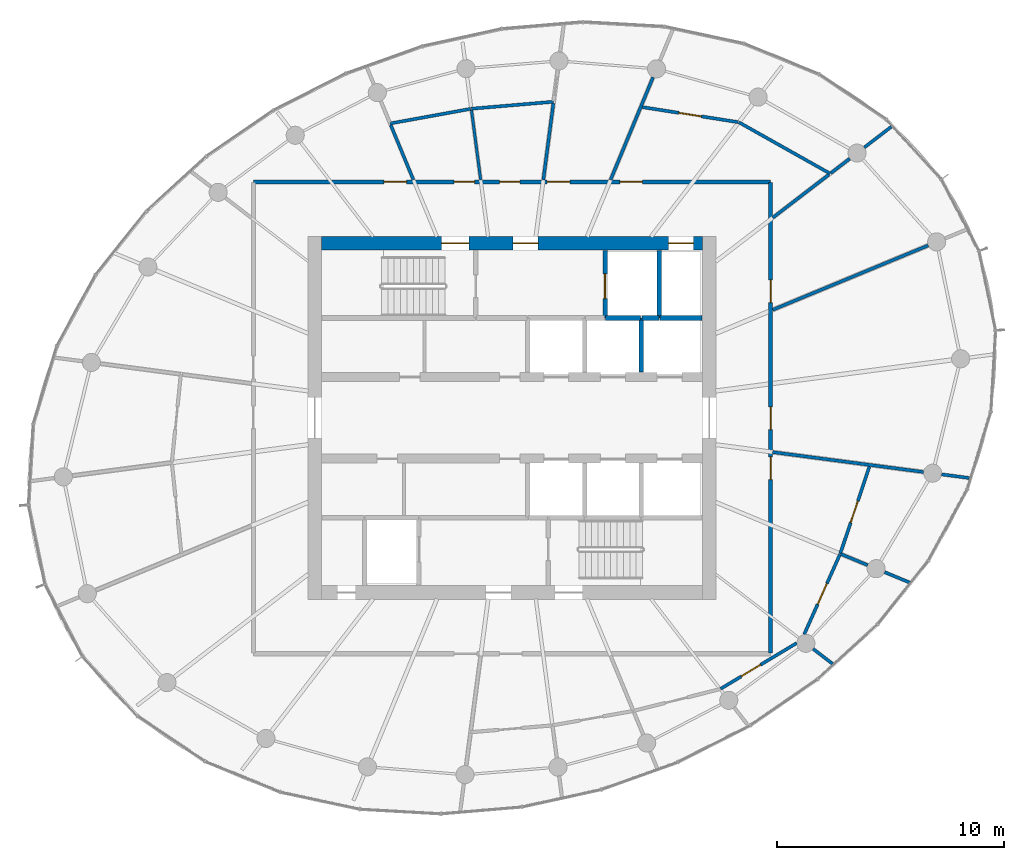
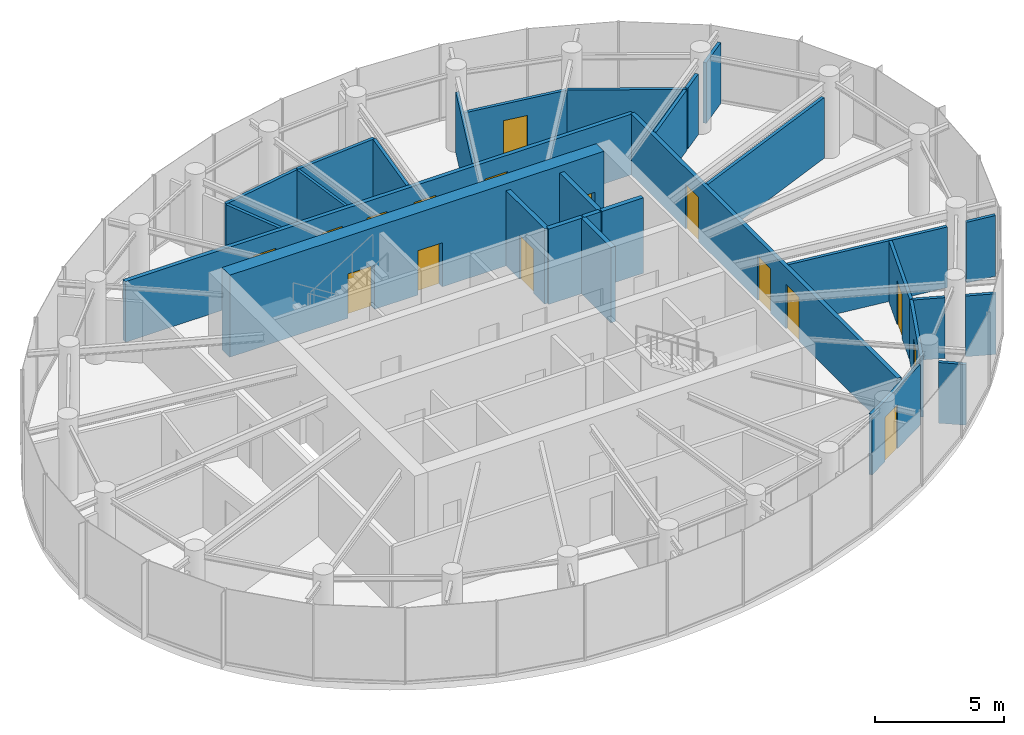
# One storey, part 10 of 13: 29 walls, 16 doors, 16 openings.
"""IFC4 building model written with IfcOpenShell, lengths in metres."""

from ifc_helpers import new_model, si_unit, direction, frame, frame_2d, origin, place, context, subcontext, project, spatial, rectangle, extrude, source, transform, mapped, material, layer, layer_set, type_object, element, fill, save


model = new_model("IFC4")

# Units and contexts
model_context = context("Model", 3, precision=1e-05, world=origin(), true_north=direction((0.0, 1.0)))
body_context = subcontext(model_context, "Body", "Model", "MODEL_VIEW")
ifc_project = project(units=[si_unit("LENGTHUNIT", "METRE"), si_unit("AREAUNIT", "SQUARE_METRE"), si_unit("VOLUMEUNIT", "CUBIC_METRE"), si_unit("PLANEANGLEUNIT", "RADIAN"), si_unit("MASSUNIT", "GRAM", prefix="KILO")], contexts=[model_context])

# Site, building, storey
site_placement = place(None, origin())
site = spatial("IfcSite", under=ifc_project, at=site_placement, CompositionType="ELEMENT")
building_placement = place(site_placement, origin())
building = spatial("IfcBuilding", under=site, at=building_placement, Name="Spindrift Exchange Tower", CompositionType="ELEMENT")
storey_placement = place(building_placement, frame((0.0, 0.0, 246.199951171875)))
storey = spatial("IfcBuildingStorey", under=building, at=storey_placement, Name="L60", CompositionType="ELEMENT", Elevation=246.199951171875)

# Wall, openings, doors
ifc_material_1 = material(Name="Concrete 50 MPa", Category="concrete")
ifc_layer_1 = layer(ifc_material_1, 0.60009765625)
ifc_layer_set_1 = layer_set([ifc_layer_1], Name="RC Core Wall 600 Concrete 50 MPa")
wall_type_1 = type_object("IfcWallType", Name="RC Core Wall 600 Concrete 50 MPa", PredefinedType="SHEAR", material=ifc_layer_set_1)
wall_1_placement = place(storey_placement, frame((60.39990234375, 55.699951171875, 0.0), z_axis=(0.0, 0.0, 1.0), x_axis=(-1.0, 0.0, 0.0)))
wall_1 = element("IfcWall", 1, at=wall_1_placement, inside=storey, type_object=wall_type_1, Name="Core wall N L60", PredefinedType="SHEAR", context=body_context, shape_type="SweptSolid", body=[
    extrude(rectangle(XDim=16.7998046875, YDim=0.60009765625, at=frame_2d((8.39990234375, 0.0))), origin(), (0.0, 0.0, 1.0), 3.900146484375),
])
opening_1_placement = place(wall_1_placement, frame((0.39990234375, 0.0, 0.0)))
opening_1 = element("IfcOpeningElement", 2, at=opening_1_placement, cuts=wall_1, Name="Opening L60-D11", PredefinedType="OPENING", context=body_context, shape_type="SweptSolid", body=[
    extrude(rectangle(XDim=1.10009765625, YDim=2.10009765625, at=frame_2d((0.550048828125, 1.050048828125))), frame((0.0, 0.31005859375, 0.0), z_axis=(0.0, -1.0, 0.0), x_axis=(1.0, 0.0, 0.0)), (0.0, 0.0, 1.0), 0.6201171875),
])
opening_2_placement = place(wall_1_placement, frame((10.300048828125, 0.0, 0.0)))
opening_2 = element("IfcOpeningElement", 3, at=opening_2_placement, cuts=wall_1, Name="Opening L60-D12", PredefinedType="OPENING", context=body_context, shape_type="SweptSolid", body=[
    extrude(rectangle(XDim=1.199951171875, YDim=2.10009765625, at=frame_2d((0.60009765625, 1.050048828125))), frame((0.0, 0.31005859375, 0.0), z_axis=(0.0, -1.0, 0.0), x_axis=(1.0, 0.0, 0.0)), (0.0, 0.0, 1.0), 0.6201171875),
])
opening_3_placement = place(wall_1_placement, frame((7.25, 0.0, 0.0)))
opening_3 = element("IfcOpeningElement", 4, at=opening_3_placement, cuts=wall_1, Name="Opening L60-D14", PredefinedType="OPENING", context=body_context, shape_type="SweptSolid", body=[
    extrude(rectangle(XDim=1.10009765625, YDim=2.10009765625, at=frame_2d((0.550048828125, 1.050048828125))), frame((0.0, 0.31005859375, 0.0), z_axis=(0.0, -1.0, 0.0), x_axis=(1.0, 0.0, 0.0)), (0.0, 0.0, 1.0), 0.6201171875),
])
ifc_material_2 = material(Name="Stainless steel landing door", Category="steel")
door_type_1 = type_object("IfcDoorType", Name="DR-LANDING-1100-SL", OperationType="DOUBLE_DOOR_SLIDING", PredefinedType="USERDEFINED", material=ifc_material_2)
shared_shape_1 = source(origin(), body_context, "Body", "SweptSolid", [
    extrude(rectangle(XDim=1.10009765625, YDim=2.10009765625, at=frame_2d((0.550048828125, 1.050048828125))), frame((0.0, 0.02490234375, 0.0), z_axis=(0.0, -1.0, 0.0), x_axis=(1.0, 0.0, 0.0)), (0.0, 0.0, 1.0), 0.050048828125),
])
door_1_placement = place(opening_1_placement, origin())
door_1 = element("IfcDoor", 5, at=door_1_placement, inside=storey, type_object=door_type_1, Name="L60 Lift landing door 11", ObjectType="LANDING DOOR", OperationType="DOUBLE_DOOR_SLIDING", OverallHeight=2.10009765625, OverallWidth=1.10009765625, PredefinedType="USERDEFINED", context=body_context, shape_type="MappedRepresentation", body=[
    mapped(shared_shape_1, transform((0.0, 0.0, 0.0), scale=1.0)),
])
fill(opening_1, door_1)
ifc_material_3 = material(Name="Steel fire door", Category="steel")
door_type_2 = type_object("IfcDoorType", Name="DR-STAIR-1200", OperationType="NOTDEFINED", PredefinedType="DOOR", material=ifc_material_3)
shared_shape_2 = source(origin(), body_context, "Body", "SweptSolid", [
    extrude(rectangle(XDim=1.199951171875, YDim=2.10009765625, at=frame_2d((0.60009765625, 1.050048828125))), frame((0.0, 0.02490234375, 0.0), z_axis=(0.0, -1.0, 0.0), x_axis=(1.0, 0.0, 0.0)), (0.0, 0.0, 1.0), 0.050048828125),
])
door_2_placement = place(opening_2_placement, origin())
door_2 = element("IfcDoor", 6, at=door_2_placement, inside=storey, type_object=door_type_2, Name="L60 Stair door 12", OperationType="SINGLE_SWING_LEFT", OverallHeight=2.10009765625, OverallWidth=1.199951171875, PredefinedType="DOOR", context=body_context, shape_type="MappedRepresentation", body=[
    mapped(shared_shape_2, transform((0.0, 0.0, 0.0), scale=1.0)),
])
fill(opening_2, door_2)
ifc_material_4 = material(Name="Timber-core fire door", Category="wood")
door_type_3 = type_object("IfcDoorType", Name="DR-LOBBY-1100", OperationType="NOTDEFINED", PredefinedType="DOOR", material=ifc_material_4)
shared_shape_3 = source(origin(), body_context, "Body", "SweptSolid", [
    extrude(rectangle(XDim=1.10009765625, YDim=2.10009765625, at=frame_2d((0.550048828125, 1.050048828125))), frame((0.0, 0.02490234375, 0.0), z_axis=(0.0, -1.0, 0.0), x_axis=(1.0, 0.0, 0.0)), (0.0, 0.0, 1.0), 0.050048828125),
])
door_3_placement = place(opening_3_placement, origin())
door_3 = element("IfcDoor", 7, at=door_3_placement, inside=storey, type_object=door_type_3, Name="L60 Lobby door 14", OperationType="SINGLE_SWING_LEFT", OverallHeight=2.10009765625, OverallWidth=1.10009765625, PredefinedType="DOOR", context=body_context, shape_type="MappedRepresentation", body=[
    mapped(shared_shape_3, transform((0.0, 0.0, 0.0), scale=1.0)),
])
fill(opening_3, door_3)

ifc_material_5 = material(Name="Fire-rated plasterboard partition", Category="gypsum")
ifc_layer_2 = layer(ifc_material_5, 0.179931640625)
ifc_layer_set_2 = layer_set([ifc_layer_2], Name="W-CORR-180")
wall_type_2 = type_object("IfcWallType", Name="W-CORR-180", PredefinedType="PARTITIONING", material=ifc_layer_set_2)
wall_2_placement = place(storey_placement, frame((40.60009765625, 58.39990234375, 0.0), z_axis=(0.0, 0.0, 1.0), x_axis=(1.0, 0.0, 0.0)))
wall_2 = element("IfcWall", 8, at=wall_2_placement, inside=storey, type_object=wall_type_2, Name="L60 Partition wall 27", PredefinedType="PARTITIONING", context=body_context, shape_type="SweptSolid", body=[
    extrude(rectangle(XDim=22.7998046875, YDim=0.179931640625, at=frame_2d((11.39990234375, 0.0))), origin(), (0.0, 0.0, 1.0), 2.880126953125),
])
opening_4_placement = place(wall_2_placement, frame((10.85009765625, 0.0, 0.0)))
opening_4 = element("IfcOpeningElement", 9, at=opening_4_placement, cuts=wall_2, Name="Opening L60-D19", PredefinedType="OPENING", context=body_context, shape_type="SweptSolid", body=[
    extrude(rectangle(XDim=0.89990234375, YDim=2.10009765625, at=frame_2d((0.449951171875, 1.050048828125))), frame((0.0, 0.099853515625, 0.0), z_axis=(0.0, -1.0, 0.0), x_axis=(1.0, 0.0, 0.0)), (0.0, 0.0, 1.0), 0.199951171875),
])
opening_5_placement = place(wall_2_placement, frame((8.85009765625, 0.0, 0.0)))
opening_5 = element("IfcOpeningElement", 10, at=opening_5_placement, cuts=wall_2, Name="Opening L60-D20", PredefinedType="OPENING", context=body_context, shape_type="SweptSolid", body=[
    extrude(rectangle(XDim=0.89990234375, YDim=2.10009765625, at=frame_2d((0.449951171875, 1.050048828125))), frame((0.0, 0.099853515625, 0.0), z_axis=(0.0, -1.0, 0.0), x_axis=(1.0, 0.0, 0.0)), (0.0, 0.0, 1.0), 0.199951171875),
])
opening_6_placement = place(wall_2_placement, frame((5.75, 0.0, 0.0)))
opening_6 = element("IfcOpeningElement", 11, at=opening_6_placement, cuts=wall_2, Name="Opening L60-D21", PredefinedType="OPENING", context=body_context, shape_type="SweptSolid", body=[
    extrude(rectangle(XDim=1.0, YDim=2.10009765625, at=frame_2d((0.5, 1.050048828125))), frame((0.0, 0.099853515625, 0.0), z_axis=(0.0, -1.0, 0.0), x_axis=(1.0, 0.0, 0.0)), (0.0, 0.0, 1.0), 0.199951171875),
])
opening_7_placement = place(wall_2_placement, frame((16.14990234375, 0.0, 0.0)))
opening_7 = element("IfcOpeningElement", 12, at=opening_7_placement, cuts=wall_2, Name="Opening L60-D37", PredefinedType="OPENING", context=body_context, shape_type="SweptSolid", body=[
    extrude(rectangle(XDim=1.0, YDim=2.10009765625, at=frame_2d((0.5, 1.050048828125))), frame((0.0, 0.099853515625, 0.0), z_axis=(0.0, -1.0, 0.0), x_axis=(1.0, 0.0, 0.0)), (0.0, 0.0, 1.0), 0.199951171875),
])
opening_8_placement = place(wall_2_placement, frame((12.949951171875, 0.0, 0.0)))
opening_8 = element("IfcOpeningElement", 13, at=opening_8_placement, cuts=wall_2, Name="Opening L60-D39", PredefinedType="OPENING", context=body_context, shape_type="SweptSolid", body=[
    extrude(rectangle(XDim=1.0, YDim=2.10009765625, at=frame_2d((0.5, 1.050048828125))), frame((0.0, 0.099853515625, 0.0), z_axis=(0.0, -1.0, 0.0), x_axis=(1.0, 0.0, 0.0)), (0.0, 0.0, 1.0), 0.199951171875),
])
door_type_4 = type_object("IfcDoorType", Name="DR-ROOM-1000", OperationType="NOTDEFINED", PredefinedType="DOOR", material=ifc_material_4)
shared_shape_4 = source(origin(), body_context, "Body", "SweptSolid", [
    extrude(rectangle(XDim=1.0, YDim=2.10009765625, at=frame_2d((0.5, 1.050048828125))), frame((0.0, 0.02490234375, 0.0), z_axis=(0.0, -1.0, 0.0), x_axis=(1.0, 0.0, 0.0)), (0.0, 0.0, 1.0), 0.050048828125),
])
door_4_placement = place(opening_6_placement, origin())
door_4 = element("IfcDoor", 14, at=door_4_placement, inside=storey, type_object=door_type_4, Name="L60 Door 21", OperationType="SINGLE_SWING_RIGHT", OverallHeight=2.10009765625, OverallWidth=1.0, PredefinedType="DOOR", context=body_context, shape_type="MappedRepresentation", body=[
    mapped(shared_shape_4, transform((0.0, 0.0, 0.0), scale=1.0)),
])
fill(opening_6, door_4)
door_5_placement = place(opening_7_placement, origin())
door_5 = element("IfcDoor", 15, at=door_5_placement, inside=storey, type_object=door_type_4, Name="L60 Door 37", OperationType="SINGLE_SWING_RIGHT", OverallHeight=2.10009765625, OverallWidth=1.0, PredefinedType="DOOR", context=body_context, shape_type="MappedRepresentation", body=[
    mapped(shared_shape_4, transform((0.0, 0.0, 0.0), scale=1.0)),
])
fill(opening_7, door_5)
door_6_placement = place(opening_8_placement, origin())
door_6 = element("IfcDoor", 16, at=door_6_placement, inside=storey, type_object=door_type_4, Name="L60 Door 39", OperationType="SINGLE_SWING_RIGHT", OverallHeight=2.10009765625, OverallWidth=1.0, PredefinedType="DOOR", context=body_context, shape_type="MappedRepresentation", body=[
    mapped(shared_shape_4, transform((0.0, 0.0, 0.0), scale=1.0)),
])
fill(opening_8, door_6)
ifc_material_6 = material(Name="Laminate washroom door", Category="wood")
door_type_5 = type_object("IfcDoorType", Name="DR-WC-900", OperationType="NOTDEFINED", PredefinedType="DOOR", material=ifc_material_6)
shared_shape_5 = source(origin(), body_context, "Body", "SweptSolid", [
    extrude(rectangle(XDim=0.89990234375, YDim=2.10009765625, at=frame_2d((0.449951171875, 1.050048828125))), frame((0.0, 0.02490234375, 0.0), z_axis=(0.0, -1.0, 0.0), x_axis=(1.0, 0.0, 0.0)), (0.0, 0.0, 1.0), 0.050048828125),
])
door_7_placement = place(opening_4_placement, origin())
door_7 = element("IfcDoor", 17, at=door_7_placement, inside=storey, type_object=door_type_5, Name="L60 WC door 19", OperationType="SINGLE_SWING_RIGHT", OverallHeight=2.10009765625, OverallWidth=0.89990234375, PredefinedType="DOOR", context=body_context, shape_type="MappedRepresentation", body=[
    mapped(shared_shape_5, transform((0.0, 0.0, 0.0), scale=1.0)),
])
fill(opening_4, door_7)
door_8_placement = place(opening_5_placement, origin())
door_8 = element("IfcDoor", 18, at=door_8_placement, inside=storey, type_object=door_type_5, Name="L60 WC door 20", OperationType="SINGLE_SWING_LEFT", OverallHeight=2.10009765625, OverallWidth=0.89990234375, PredefinedType="DOOR", context=body_context, shape_type="MappedRepresentation", body=[
    mapped(shared_shape_5, transform((0.0, 0.0, 0.0), scale=1.0)),
])
fill(opening_5, door_8)

# Walls
ifc_layer_3 = layer(ifc_material_5, 0.139892578125)
ifc_layer_set_3 = layer_set([ifc_layer_3], Name="W-PART-140")
wall_type_3 = type_object("IfcWallType", Name="W-PART-140", PredefinedType="PARTITIONING", material=ifc_layer_set_3)
wall_3_placement = place(storey_placement, frame((56.34521484375, 58.489990234375, 0.0), z_axis=(0.0, 0.0, 1.0), x_axis=(0.382689806821, 0.923876892099, 0.0)))
element("IfcWall", 19, at=wall_3_placement, inside=storey, type_object=wall_type_3, Name="L60 Partition wall 34", PredefinedType="PARTITIONING", context=body_context, shape_type="SweptSolid", body=[
    extrude(rectangle(XDim=4.890625, YDim=0.139892578125, at=frame_2d((2.4453125, 0.0))), origin(), (0.0, 0.0, 1.0), 2.880126953125),
])
wall_4_placement = place(storey_placement, frame((66.0263671875, 58.7626953125, 0.0), z_axis=(0.0, 0.0, 1.0), x_axis=(-0.871725001743, 0.489995429914, 0.0)))
element("IfcWall", 20, at=wall_4_placement, inside=storey, type_object=wall_type_3, Name="L60 Partition wall 35", PredefinedType="PARTITIONING", context=body_context, shape_type="SweptSolid", body=[
    extrude(rectangle(XDim=4.622802734375, YDim=0.139892578125, at=frame_2d((2.3115234375, 0.0))), origin(), (0.0, 0.0, 1.0), 2.880126953125),
])

# Wall, opening, door
wall_5_placement = place(storey_placement, frame((57.747802734375, 61.69384765625, 0.0), z_axis=(0.0, 0.0, 1.0), x_axis=(0.987944910752, -0.154805856864, 0.0)))
wall_5 = element("IfcWall", 21, at=wall_5_placement, inside=storey, type_object=wall_type_3, Name="L60 Partition wall 37", PredefinedType="PARTITIONING", context=body_context, shape_type="SweptSolid", body=[
    extrude(rectangle(XDim=4.270751953125, YDim=0.139892578125, at=frame_2d((2.13525390625, 0.0))), origin(), (0.0, 0.0, 1.0), 2.880126953125),
])
opening_9_placement = place(wall_5_placement, frame((1.62060546875, 0.0, 0.0)))
opening_9 = element("IfcOpeningElement", 22, at=opening_9_placement, cuts=wall_5, Name="Opening L60-D38", PredefinedType="OPENING", context=body_context, shape_type="SweptSolid", body=[
    extrude(rectangle(XDim=1.0, YDim=2.10009765625, at=frame_2d((0.5, 1.050048828125))), frame((0.0, 0.079833984375, 0.0), z_axis=(0.0, -1.0, 0.0), x_axis=(1.0, 0.0, 0.0)), (0.0, 0.0, 1.0), 0.159912109375),
])
door_9_placement = place(opening_9_placement, origin())
door_9 = element("IfcDoor", 23, at=door_9_placement, inside=storey, type_object=door_type_4, Name="L60 Door 38", OperationType="SINGLE_SWING_LEFT", OverallHeight=2.10009765625, OverallWidth=1.0, PredefinedType="DOOR", context=body_context, shape_type="MappedRepresentation", body=[
    mapped(shared_shape_4, transform((0.0, 0.0, 0.0), scale=1.0)),
])
fill(opening_9, door_9)

wall_6_placement = place(storey_placement, frame((67.75390625, 45.855224609375, 0.0), z_axis=(0.0, 0.0, 1.0), x_axis=(-0.317003922607, -0.94842422631, 0.0)))
wall_6 = element("IfcWall", 24, at=wall_6_placement, inside=storey, type_object=wall_type_3, Name="L60 Partition wall 38", PredefinedType="PARTITIONING", context=body_context, shape_type="SweptSolid", body=[
    extrude(rectangle(XDim=4.05712890625, YDim=0.139892578125, at=frame_2d((2.028564453125, 0.0))), origin(), (0.0, 0.0, 1.0), 2.880126953125),
])
opening_10_placement = place(wall_6_placement, frame((1.607421875, 0.0, 0.0)))
opening_10 = element("IfcOpeningElement", 25, at=opening_10_placement, cuts=wall_6, Name="Opening L60-D34", PredefinedType="OPENING", context=body_context, shape_type="SweptSolid", body=[
    extrude(rectangle(XDim=1.0, YDim=2.10009765625, at=frame_2d((0.5, 1.050048828125))), frame((0.0, 0.079833984375, 0.0), z_axis=(0.0, -1.0, 0.0), x_axis=(1.0, 0.0, 0.0)), (0.0, 0.0, 1.0), 0.159912109375),
])
door_10_placement = place(opening_10_placement, origin())
door_10 = element("IfcDoor", 26, at=door_10_placement, inside=storey, type_object=door_type_4, Name="L60 Door 34", OperationType="SINGLE_SWING_LEFT", OverallHeight=2.10009765625, OverallWidth=1.0, PredefinedType="DOOR", context=body_context, shape_type="MappedRepresentation", body=[
    mapped(shared_shape_4, transform((0.0, 0.0, 0.0), scale=1.0)),
])
fill(opening_10, door_10)

wall_7_placement = place(storey_placement, frame((64.548583984375, 38.072998046875, 0.0), z_axis=(0.0, 0.0, 1.0), x_axis=(-0.856692428514, -0.515827570925, 0.0)))
wall_7 = element("IfcWall", 27, at=wall_7_placement, inside=storey, type_object=wall_type_3, Name="L60 Partition wall 41", PredefinedType="PARTITIONING", context=body_context, shape_type="SweptSolid", body=[
    extrude(rectangle(XDim=3.906982421875, YDim=0.139892578125, at=frame_2d((1.95361328125, 0.0))), origin(), (0.0, 0.0, 1.0), 2.880126953125),
])
opening_11_placement = place(wall_7_placement, frame((1.857421875, 0.0, 0.0)))
opening_11 = element("IfcOpeningElement", 28, at=opening_11_placement, cuts=wall_7, Name="Opening L60-D32", PredefinedType="OPENING", context=body_context, shape_type="SweptSolid", body=[
    extrude(rectangle(XDim=1.0, YDim=2.10009765625, at=frame_2d((0.5, 1.050048828125))), frame((0.0, 0.079833984375, 0.0), z_axis=(0.0, -1.0, 0.0), x_axis=(1.0, 0.0, 0.0)), (0.0, 0.0, 1.0), 0.159912109375),
])
door_11_placement = place(opening_11_placement, origin())
door_11 = element("IfcDoor", 29, at=door_11_placement, inside=storey, type_object=door_type_4, Name="L60 Door 32", OperationType="SINGLE_SWING_LEFT", OverallHeight=2.10009765625, OverallWidth=1.0, PredefinedType="DOOR", context=body_context, shape_type="MappedRepresentation", body=[
    mapped(shared_shape_4, transform((0.0, 0.0, 0.0), scale=1.0)),
])
fill(opening_11, door_11)

wall_8_placement = place(storey_placement, frame((66.455322265625, 41.97998046875, 0.0), z_axis=(0.0, 0.0, 1.0), x_axis=(-0.40831609547, -0.912840602833, 0.0)))
wall_8 = element("IfcWall", 30, at=wall_8_placement, inside=storey, type_object=wall_type_3, Name="L60 Partition wall 43", PredefinedType="PARTITIONING", context=body_context, shape_type="SweptSolid", body=[
    extrude(rectangle(XDim=3.857177734375, YDim=0.139892578125, at=frame_2d((1.9287109375, 0.0))), origin(), (0.0, 0.0, 1.0), 2.880126953125),
])
opening_12_placement = place(wall_8_placement, frame((1.4072265625, 0.0, 0.0)))
opening_12 = element("IfcOpeningElement", 31, at=opening_12_placement, cuts=wall_8, Name="Opening L60-D33", PredefinedType="OPENING", context=body_context, shape_type="SweptSolid", body=[
    extrude(rectangle(XDim=1.0, YDim=2.10009765625, at=frame_2d((0.5, 1.050048828125))), frame((0.0, 0.079833984375, 0.0), z_axis=(0.0, -1.0, 0.0), x_axis=(1.0, 0.0, 0.0)), (0.0, 0.0, 1.0), 0.159912109375),
])
door_12_placement = place(opening_12_placement, origin())
door_12 = element("IfcDoor", 32, at=door_12_placement, inside=storey, type_object=door_type_4, Name="L60 Door 33", OperationType="SINGLE_SWING_RIGHT", OverallHeight=2.10009765625, OverallWidth=1.0, PredefinedType="DOOR", context=body_context, shape_type="MappedRepresentation", body=[
    mapped(shared_shape_4, transform((0.0, 0.0, 0.0), scale=1.0)),
])
fill(opening_12, door_12)

# Walls
wall_9_placement = place(storey_placement, frame((53.834228515625, 61.931884765625, 0.0), z_axis=(0.0, 0.0, 1.0), x_axis=(-0.996413179943, -0.084621361581, 0.0)))
element("IfcWall", 33, at=wall_9_placement, inside=storey, type_object=wall_type_3, Name="L60 Partition wall 44", PredefinedType="PARTITIONING", context=body_context, shape_type="SweptSolid", body=[
    extrude(rectangle(XDim=3.640869140625, YDim=0.139892578125, at=frame_2d((1.8203125, 0.0))), origin(), (0.0, 0.0, 1.0), 2.880126953125),
])
wall_10_placement = place(storey_placement, frame((50.177001953125, 61.618408203125, 0.0), z_axis=(0.0, 0.0, 1.0), x_axis=(-0.983923982587, -0.178587783708, 0.0)))
element("IfcWall", 34, at=wall_10_placement, inside=storey, type_object=wall_type_3, Name="L60 Partition wall 45", PredefinedType="PARTITIONING", context=body_context, shape_type="SweptSolid", body=[
    extrude(rectangle(XDim=3.609130859375, YDim=0.139892578125, at=frame_2d((1.8046875, 0.0))), origin(), (0.0, 0.0, 1.0), 2.880126953125),
])
wall_11_placement = place(storey_placement, frame((53.381103515625, 58.489990234375, 0.0), z_axis=(0.0, 0.0, 1.0), x_axis=(0.130474945287, 0.991451606813, 0.0)))
element("IfcWall", 35, at=wall_11_placement, inside=storey, type_object=wall_type_3, Name="L60 Partition wall 49", PredefinedType="PARTITIONING", context=body_context, shape_type="SweptSolid", body=[
    extrude(rectangle(XDim=3.39990234375, YDim=0.139892578125, at=frame_2d((1.699951171875, 0.0))), origin(), (0.0, 0.0, 1.0), 2.880126953125),
])
wall_12_placement = place(storey_placement, frame((63.489990234375, 56.816650390625, 0.0), z_axis=(0.0, 0.0, 1.0), x_axis=(0.793370833445, 0.608738630809, 0.0)))
element("IfcWall", 36, at=wall_12_placement, inside=storey, type_object=wall_type_3, Name="L60 Partition wall 51", PredefinedType="PARTITIONING", context=body_context, shape_type="SweptSolid", body=[
    extrude(rectangle(XDim=3.12060546875, YDim=0.139892578125, at=frame_2d((1.560302734375, 0.0))), origin(), (0.0, 0.0, 1.0), 2.880126953125),
])
wall_13_placement = place(storey_placement, frame((47.65478515625, 58.489990234375, 0.0), z_axis=(0.0, 0.0, 1.0), x_axis=(-0.382686863779, 0.923878111166, 0.0)))
element("IfcWall", 37, at=wall_13_placement, inside=storey, type_object=wall_type_3, Name="L60 Partition wall 53", PredefinedType="PARTITIONING", context=body_context, shape_type="SweptSolid", body=[
    extrude(rectangle(XDim=2.616943359375, YDim=0.139892578125, at=frame_2d((1.30859375, 0.0))), origin(), (0.0, 0.0, 1.0), 2.880126953125),
])
wall_14_placement = place(storey_placement, frame((67.530517578125, 59.9169921875, 0.0), z_axis=(0.0, 0.0, 1.0), x_axis=(0.793327668176, 0.6087948841, 0.0)))
element("IfcWall", 38, at=wall_14_placement, inside=storey, type_object=wall_type_3, Name="L60 Partition wall 58", PredefinedType="PARTITIONING", context=body_context, shape_type="SweptSolid", body=[
    extrude(rectangle(XDim=1.4951171875, YDim=0.139892578125, at=frame_2d((0.74755859375, 0.0))), origin(), (0.0, 0.0, 1.0), 2.880126953125),
])
wall_15_placement = place(storey_placement, frame((66.495361328125, 41.995849609375, 0.0), z_axis=(0.0, 0.0, 1.0), x_axis=(0.923826077578, -0.382812458505, 0.0)))
element("IfcWall", 39, at=wall_15_placement, inside=storey, type_object=wall_type_3, Name="L60 Partition wall 63", PredefinedType="PARTITIONING", context=body_context, shape_type="SweptSolid", body=[
    extrude(rectangle(XDim=1.279296875, YDim=0.139892578125, at=frame_2d((0.6396484375, 0.0))), origin(), (0.0, 0.0, 1.0), 2.880126953125),
])
wall_16_placement = place(storey_placement, frame((68.42578125, 41.1962890625, 0.0), z_axis=(0.0, 0.0, 1.0), x_axis=(0.923850829611, -0.382752719947, 0.0)))
element("IfcWall", 40, at=wall_16_placement, inside=storey, type_object=wall_type_3, Name="L60 Partition wall 66", PredefinedType="PARTITIONING", context=body_context, shape_type="SweptSolid", body=[
    extrude(rectangle(XDim=1.201171875, YDim=0.139892578125, at=frame_2d((0.6005859375, 0.0))), origin(), (0.0, 0.0, 1.0), 2.880126953125),
])
wall_17_placement = place(storey_placement, frame((66.050048828125, 58.781005859375, 0.0), z_axis=(0.0, 0.0, 1.0), x_axis=(0.793353438114, 0.608761301523, 0.0)))
element("IfcWall", 41, at=wall_17_placement, inside=storey, type_object=wall_type_3, Name="L60 Partition wall 70", PredefinedType="PARTITIONING", context=body_context, shape_type="SweptSolid", body=[
    extrude(rectangle(XDim=1.056640625, YDim=0.139892578125, at=frame_2d((0.5283203125, 0.0))), origin(), (0.0, 0.0, 1.0), 2.880126953125),
])
wall_18_placement = place(storey_placement, frame((65.27392578125, 37.814453125, 0.0), z_axis=(0.0, 0.0, 1.0), x_axis=(0.793403043082, -0.608696649596, 0.0)))
element("IfcWall", 42, at=wall_18_placement, inside=storey, type_object=wall_type_3, Name="L60 Partition wall 72", PredefinedType="PARTITIONING", context=body_context, shape_type="SweptSolid", body=[
    extrude(rectangle(XDim=1.08251953125, YDim=0.139892578125, at=frame_2d((0.541259765625, 0.0))), origin(), (0.0, 0.0, 1.0), 2.880126953125),
])
ifc_layer_4 = layer(ifc_material_5, 0.139892578125)
ifc_layer_set_4 = layer_set([ifc_layer_4], Name="W-PLANT-140")
wall_type_4 = type_object("IfcWallType", Name="W-PLANT-140", PredefinedType="PARTITIONING", material=ifc_layer_set_4)
wall_19_placement = place(storey_placement, frame((63.489990234375, 52.75927734375, 0.0), z_axis=(0.0, 0.0, 1.0), x_axis=(0.92388089155, 0.38268015134, 0.0)))
element("IfcWall", 43, at=wall_19_placement, inside=storey, type_object=wall_type_4, Name="L60 Partition wall 32", PredefinedType="PARTITIONING", context=body_context, shape_type="SweptSolid", body=[
    extrude(rectangle(XDim=7.42041015625, YDim=0.139892578125, at=frame_2d((3.710205078125, 0.0))), origin(), (0.0, 0.0, 1.0), 2.880126953125),
])
wall_20_placement = place(storey_placement, frame((70.138916015625, 45.612060546875, 0.0), z_axis=(0.0, 0.0, 1.0), x_axis=(-0.991446859335, 0.130511015301, 0.0)))
element("IfcWall", 44, at=wall_20_placement, inside=storey, type_object=wall_type_4, Name="L60 Partition wall 33", PredefinedType="PARTITIONING", context=body_context, shape_type="SweptSolid", body=[
    extrude(rectangle(XDim=6.706298828125, YDim=0.139892578125, at=frame_2d((3.35302734375, 0.0))), origin(), (0.0, 0.0, 1.0), 2.880126953125),
])
wall_21_placement = place(storey_placement, frame((70.941162109375, 45.50634765625, 0.0), z_axis=(0.0, 0.0, 1.0), x_axis=(0.991435934833, -0.130593978123, 0.0)))
element("IfcWall", 45, at=wall_21_placement, inside=storey, type_object=wall_type_4, Name="L60 Partition wall 65", PredefinedType="PARTITIONING", context=body_context, shape_type="SweptSolid", body=[
    extrude(rectangle(XDim=1.22265625, YDim=0.139892578125, at=frame_2d((0.611328125, 0.0))), origin(), (0.0, 0.0, 1.0), 2.880126953125),
])

# Wall, openings, doors
ifc_layer_5 = layer(ifc_material_5, 0.179931640625)
ifc_layer_set_5 = layer_set([ifc_layer_5], Name="W-PLANT-180")
wall_type_5 = type_object("IfcWallType", Name="W-PLANT-180", PredefinedType="PARTITIONING", material=ifc_layer_set_5)
wall_22_placement = place(storey_placement, frame((63.39990234375, 58.3701171875, 0.0), z_axis=(0.0, 0.0, 1.0), x_axis=(0.0, -1.0, 0.0)))
wall_22 = element("IfcWall", 46, at=wall_22_placement, inside=storey, type_object=wall_type_5, Name="L60 Partition wall 29", PredefinedType="PARTITIONING", context=body_context, shape_type="SweptSolid", body=[
    extrude(rectangle(XDim=20.740234375, YDim=0.179931640625, at=frame_2d((10.3701171875, 0.0))), origin(), (0.0, 0.0, 1.0), 2.880126953125),
])
opening_13_placement = place(wall_22_placement, frame((12.090087890625, 0.0, 0.0)))
opening_13 = element("IfcOpeningElement", 47, at=opening_13_placement, cuts=wall_22, Name="Opening L60-D30", PredefinedType="OPENING", context=body_context, shape_type="SweptSolid", body=[
    extrude(rectangle(XDim=1.0, YDim=2.10009765625, at=frame_2d((0.5, 1.050048828125))), frame((0.0, 0.099853515625, 0.0), z_axis=(0.0, -1.0, 0.0), x_axis=(1.0, 0.0, 0.0)), (0.0, 0.0, 1.0), 0.199951171875),
])
opening_14_placement = place(wall_22_placement, frame((9.889892578125, 0.0, 0.0)))
opening_14 = element("IfcOpeningElement", 48, at=opening_14_placement, cuts=wall_22, Name="Opening L60-D35", PredefinedType="OPENING", context=body_context, shape_type="SweptSolid", body=[
    extrude(rectangle(XDim=1.0, YDim=2.10009765625, at=frame_2d((0.5, 1.050048828125))), frame((0.0, 0.099853515625, 0.0), z_axis=(0.0, -1.0, 0.0), x_axis=(1.0, 0.0, 0.0)), (0.0, 0.0, 1.0), 0.199951171875),
])
opening_15_placement = place(wall_22_placement, frame((4.2900390625, 0.0, 0.0)))
opening_15 = element("IfcOpeningElement", 49, at=opening_15_placement, cuts=wall_22, Name="Opening L60-D36", PredefinedType="OPENING", context=body_context, shape_type="SweptSolid", body=[
    extrude(rectangle(XDim=1.0, YDim=2.10009765625, at=frame_2d((0.5, 1.050048828125))), frame((0.0, 0.099853515625, 0.0), z_axis=(0.0, -1.0, 0.0), x_axis=(1.0, 0.0, 0.0)), (0.0, 0.0, 1.0), 0.199951171875),
])
door_13_placement = place(opening_13_placement, origin())
door_13 = element("IfcDoor", 50, at=door_13_placement, inside=storey, type_object=door_type_4, Name="L60 Door 30", OperationType="SINGLE_SWING_LEFT", OverallHeight=2.10009765625, OverallWidth=1.0, PredefinedType="DOOR", context=body_context, shape_type="MappedRepresentation", body=[
    mapped(shared_shape_4, transform((0.0, 0.0, 0.0), scale=1.0)),
])
fill(opening_13, door_13)
door_14_placement = place(opening_14_placement, origin())
door_14 = element("IfcDoor", 51, at=door_14_placement, inside=storey, type_object=door_type_4, Name="L60 Door 35", OperationType="SINGLE_SWING_RIGHT", OverallHeight=2.10009765625, OverallWidth=1.0, PredefinedType="DOOR", context=body_context, shape_type="MappedRepresentation", body=[
    mapped(shared_shape_4, transform((0.0, 0.0, 0.0), scale=1.0)),
])
fill(opening_14, door_14)
door_15_placement = place(opening_15_placement, origin())
door_15 = element("IfcDoor", 52, at=door_15_placement, inside=storey, type_object=door_type_4, Name="L60 Door 36", OperationType="SINGLE_SWING_LEFT", OverallHeight=2.10009765625, OverallWidth=1.0, PredefinedType="DOOR", context=body_context, shape_type="MappedRepresentation", body=[
    mapped(shared_shape_4, transform((0.0, 0.0, 0.0), scale=1.0)),
])
fill(opening_15, door_15)

# Wall, opening, door
ifc_material_7 = material(Name="Concrete 40 MPa", Category="concrete")
ifc_layer_6 = layer(ifc_material_7, 0.199951171875)
ifc_layer_set_6 = layer_set([ifc_layer_6], Name="W-SHAFT-200")
wall_type_6 = type_object("IfcWallType", Name="W-SHAFT-200", PredefinedType="SOLIDWALL", material=ifc_layer_set_6)
wall_23_placement = place(storey_placement, frame((56.10009765625, 55.3798828125, 0.0), z_axis=(0.0, 0.0, 1.0), x_axis=(0.0, -1.0, 0.0)))
wall_23 = element("IfcWall", 53, at=wall_23_placement, inside=storey, type_object=wall_type_6, Name="L60 Shaft wall 7", PredefinedType="SOLIDWALL", context=body_context, shape_type="SweptSolid", body=[
    extrude(rectangle(XDim=2.97998046875, YDim=0.199951171875, at=frame_2d((1.489990234375, 0.0))), origin(), (0.0, 0.0, 1.0), 3.580078125),
])
opening_16_placement = place(wall_23_placement, frame((1.030029296875, 0.0, 0.0)))
opening_16 = element("IfcOpeningElement", 54, at=opening_16_placement, cuts=wall_23, Name="Opening L60-D9", PredefinedType="OPENING", context=body_context, shape_type="SweptSolid", body=[
    extrude(rectangle(XDim=1.10009765625, YDim=2.10009765625, at=frame_2d((0.550048828125, 1.050048828125))), frame((0.0, 0.10986328125, 0.0), z_axis=(0.0, -1.0, 0.0), x_axis=(1.0, 0.0, 0.0)), (0.0, 0.0, 1.0), 0.219970703125),
])
door_16_placement = place(opening_16_placement, origin())
door_16 = element("IfcDoor", 55, at=door_16_placement, inside=storey, type_object=door_type_1, Name="L60 Lift landing door 9", ObjectType="LANDING DOOR", OperationType="DOUBLE_DOOR_SLIDING", OverallHeight=2.10009765625, OverallWidth=1.10009765625, PredefinedType="USERDEFINED", context=body_context, shape_type="MappedRepresentation", body=[
    mapped(shared_shape_1, transform((0.0, 0.0, 0.0), scale=1.0)),
])
fill(opening_16, door_16)

# Walls
wall_24_placement = place(storey_placement, frame((58.5, 52.39990234375, 0.0), z_axis=(0.0, 0.0, 1.0), x_axis=(0.0, 1.0, 0.0)))
element("IfcWall", 56, at=wall_24_placement, inside=storey, type_object=wall_type_6, Name="L60 Shaft wall 8", PredefinedType="SOLIDWALL", context=body_context, shape_type="SweptSolid", body=[
    extrude(rectangle(XDim=2.97998046875, YDim=0.199951171875, at=frame_2d((1.489990234375, 0.0))), origin(), (0.0, 0.0, 1.0), 3.580078125),
])
wall_25_placement = place(storey_placement, frame((57.699951171875, 50.010009765625, 0.0), z_axis=(0.0, 0.0, 1.0), x_axis=(0.0, 1.0, 0.0)))
element("IfcWall", 57, at=wall_25_placement, inside=storey, type_object=wall_type_6, Name="L60 Shaft wall 18", PredefinedType="SOLIDWALL", context=body_context, shape_type="SweptSolid", body=[
    extrude(rectangle(XDim=2.389892578125, YDim=0.199951171875, at=frame_2d((1.19482421875, 0.0))), origin(), (0.0, 0.0, 1.0), 3.580078125),
])
wall_26_placement = place(storey_placement, frame((60.3798828125, 52.39990234375, 0.0), z_axis=(0.0, 0.0, 1.0), x_axis=(-1.0, 0.0, 0.0)))
element("IfcWall", 58, at=wall_26_placement, inside=storey, type_object=wall_type_6, Name="L60 Shaft wall 21", PredefinedType="SOLIDWALL", context=body_context, shape_type="SweptSolid", body=[
    extrude(rectangle(XDim=1.849853515625, YDim=0.199951171875, at=frame_2d((0.9248046875, 0.0))), origin(), (0.0, 0.0, 1.0), 3.580078125),
])
wall_27_placement = place(storey_placement, frame((57.669921875, 52.39990234375, 0.0), z_axis=(0.0, 0.0, 1.0), x_axis=(-1.0, 0.0, 0.0)))
element("IfcWall", 59, at=wall_27_placement, inside=storey, type_object=wall_type_6, Name="L60 Shaft wall 23", PredefinedType="SOLIDWALL", context=body_context, shape_type="SweptSolid", body=[
    extrude(rectangle(XDim=1.5400390625, YDim=0.199951171875, at=frame_2d((0.77001953125, 0.0))), origin(), (0.0, 0.0, 1.0), 3.580078125),
])
wall_28_placement = place(storey_placement, frame((58.469970703125, 52.39990234375, 0.0), z_axis=(0.0, 0.0, 1.0), x_axis=(-1.0, 0.0, 0.0)))
element("IfcWall", 60, at=wall_28_placement, inside=storey, type_object=wall_type_6, Name="L60 Shaft wall 26", PredefinedType="SOLIDWALL", context=body_context, shape_type="SweptSolid", body=[
    extrude(rectangle(XDim=0.739990234375, YDim=0.199951171875, at=frame_2d((0.3701171875, 0.0))), origin(), (0.0, 0.0, 1.0), 3.580078125),
])
ifc_layer_7 = layer(ifc_material_5, 0.1201171875)
ifc_layer_set_7 = layer_set([ifc_layer_7], Name="W-WET-120")
wall_type_7 = type_object("IfcWallType", Name="W-WET-120", PredefinedType="PARTITIONING", material=ifc_layer_set_7)
wall_29_placement = place(storey_placement, frame((50.618896484375, 58.489990234375, 0.0), z_axis=(0.0, 0.0, 1.0), x_axis=(-0.130487204363, 0.991449993443, 0.0)))
element("IfcWall", 61, at=wall_29_placement, inside=storey, type_object=wall_type_7, Name="L60 Partition wall 81", PredefinedType="PARTITIONING", context=body_context, shape_type="SweptSolid", body=[
    extrude(rectangle(XDim=3.0908203125, YDim=0.1201171875, at=frame_2d((1.54541015625, 0.0))), origin(), (0.0, 0.0, 1.0), 2.880126953125),
])

save(model, "model.ifc")
